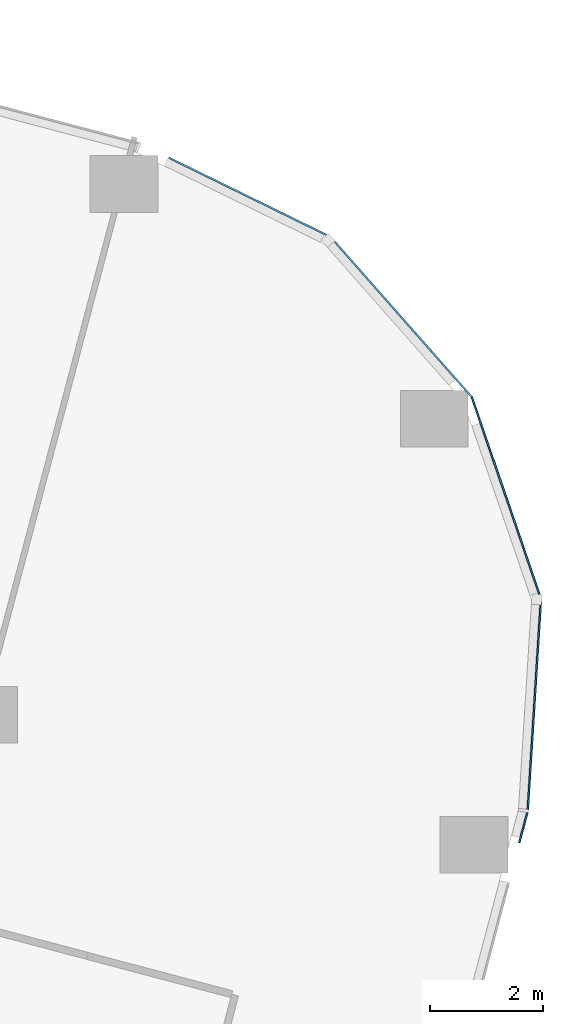
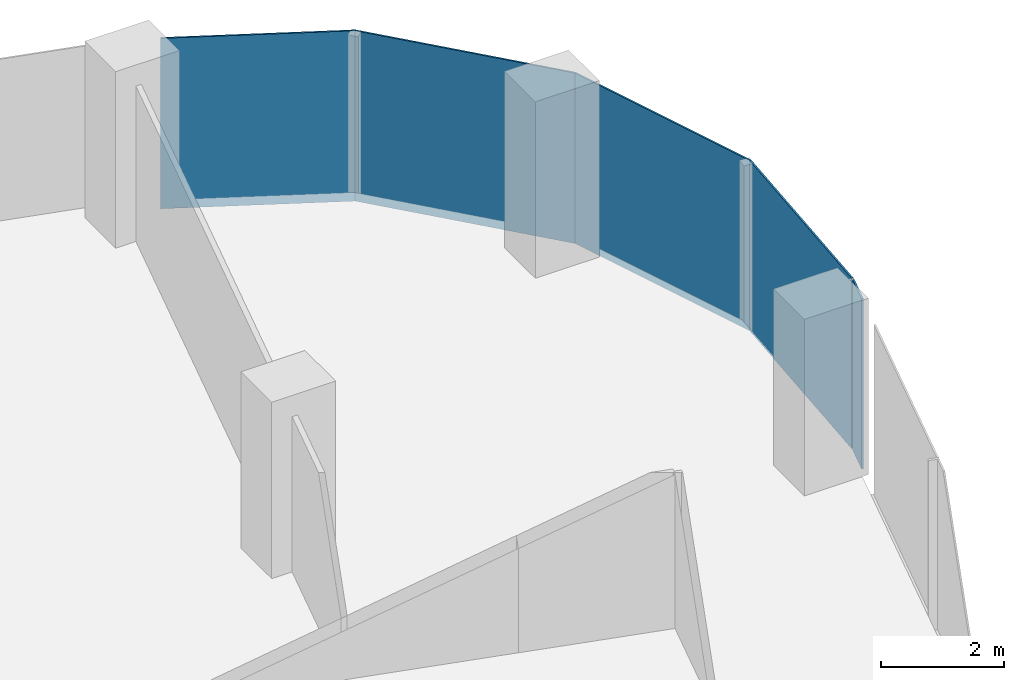
# One storey, part 23 of 34: 5 plates, 5 elements without a shape of their own.
"""IFC4 building model written with IfcOpenShell, lengths in metres."""

from ifc_helpers import new_model, si_unit, direction, frame, origin, origin_2d, place, context, subcontext, project, spatial, rectangle, extrude, material, layer, layer_set, type_object, element, aggregate, save


model = new_model("IFC4")

# Units and contexts
model_context = context("Model", 3, precision=1e-05, world=origin(), true_north=direction((0.0, 1.0)))
body_context = subcontext(model_context, "Body", "Model", "MODEL_VIEW")
ifc_project = project(units=[si_unit("LENGTHUNIT", "METRE"), si_unit("AREAUNIT", "SQUARE_METRE"), si_unit("VOLUMEUNIT", "CUBIC_METRE"), si_unit("PLANEANGLEUNIT", "RADIAN"), si_unit("MASSUNIT", "GRAM", prefix="KILO")], contexts=[model_context])

# Site, building, storey
site_placement = place(None, origin())
site = spatial("IfcSite", under=ifc_project, at=site_placement, CompositionType="ELEMENT")
building_placement = place(site_placement, origin())
building = spatial("IfcBuilding", under=site, at=building_placement, Name="Orlundy Tower", CompositionType="ELEMENT")
storey_placement = place(building_placement, frame((0.0, 0.0, 112.699951171875)))
storey = spatial("IfcBuildingStorey", under=building, at=storey_placement, Name="L28", CompositionType="ELEMENT", Elevation=112.699951171875)

# Curtain wall, plate
ifc_material_1 = material(Name="Aluminium bronze anodised", Category="aluminium")
curtain_wall_type = type_object("IfcCurtainWallType", Name="CW1 wall", PredefinedType="NOTDEFINED", material=ifc_material_1)
curtain_wall_1_placement = place(storey_placement, origin())
curtain_wall_1 = element("IfcCurtainWall", 1, at=curtain_wall_1_placement, inside=storey, type_object=curtain_wall_type, Name="CW1 run 019", PredefinedType="NOTDEFINED")
ifc_material_2 = material(Name="Tinted glass", Category="glass")
ifc_layer = layer(ifc_material_2, 0.031982421875)
ifc_layer_set = layer_set([ifc_layer], Name="CW1 glass panel 32")
plate_type = type_object("IfcPlateType", Name="CW1 glass panel 32", PredefinedType="CURTAIN_PANEL", material=ifc_layer_set)
plate_1_placement = place(storey_placement, frame((56.42724609375, 5.477294921875, -0.27978515625), z_axis=(0.0, 0.0, 1.0), x_axis=(0.898119249702, -0.439751990689, 0.0)))
plate_1 = element("IfcPlate", 2, at=plate_1_placement, type_object=plate_type, Name="CW1 panel", PredefinedType="CURTAIN_PANEL", context=body_context, shape_type="SweptSolid", body=[
    extrude(rectangle(XDim=3.171630859375, YDim=0.031982421875, at=origin_2d()), origin(), (0.0, 0.0, 1.0), 3.3798828125),
])
aggregate(curtain_wall_1, [plate_1])

curtain_wall_2_placement = place(storey_placement, origin())
curtain_wall_2 = element("IfcCurtainWall", 3, at=curtain_wall_2_placement, inside=storey, type_object=curtain_wall_type, Name="CW1 run 020", PredefinedType="NOTDEFINED")
plate_2_placement = place(storey_placement, frame((59.098876953125, 3.365966796875, -0.27978515625), z_axis=(0.0, 0.0, 1.0), x_axis=(0.661612712841, -0.749845729605, 0.0)))
plate_2 = element("IfcPlate", 4, at=plate_2_placement, type_object=plate_type, Name="CW1 panel", PredefinedType="CURTAIN_PANEL", context=body_context, shape_type="SweptSolid", body=[
    extrude(rectangle(XDim=3.771240234375, YDim=0.031982421875, at=origin_2d()), origin(), (0.0, 0.0, 1.0), 3.3798828125),
])
aggregate(curtain_wall_2, [plate_2])

curtain_wall_3_placement = place(storey_placement, origin())
curtain_wall_3 = element("IfcCurtainWall", 5, at=curtain_wall_3_placement, inside=storey, type_object=curtain_wall_type, Name="CW1 run 021", PredefinedType="NOTDEFINED")
plate_3_placement = place(storey_placement, frame((60.958251953125, 0.167724609375, -0.27978515625), z_axis=(0.0, 0.0, 1.0), x_axis=(0.32422777573, -0.945979042815, 0.0)))
plate_3 = element("IfcPlate", 6, at=plate_3_placement, type_object=plate_type, Name="CW1 panel", PredefinedType="CURTAIN_PANEL", context=body_context, shape_type="SweptSolid", body=[
    extrude(rectangle(XDim=3.7724609375, YDim=0.031982421875, at=origin_2d()), origin(), (0.0, 0.0, 1.0), 3.3798828125),
])
aggregate(curtain_wall_3, [plate_3])

curtain_wall_4_placement = place(storey_placement, origin())
curtain_wall_4 = element("IfcCurtainWall", 7, at=curtain_wall_4_placement, inside=storey, type_object=curtain_wall_type, Name="CW1 run 022", PredefinedType="NOTDEFINED")
plate_4_placement = place(storey_placement, frame((61.452880859375, -3.47802734375, -0.27978515625), z_axis=(0.0, 0.0, 1.0), x_axis=(-0.062596654845, -0.998038906457, 0.0)))
plate_4 = element("IfcPlate", 8, at=plate_4_placement, type_object=plate_type, Name="CW1 panel", PredefinedType="CURTAIN_PANEL", context=body_context, shape_type="SweptSolid", body=[
    extrude(rectangle(XDim=3.72998046875, YDim=0.031982421875, at=origin_2d()), origin(), (0.0, 0.0, 1.0), 3.3798828125),
])
aggregate(curtain_wall_4, [plate_4])

curtain_wall_5_placement = place(storey_placement, origin())
curtain_wall_5 = element("IfcCurtainWall", 9, at=curtain_wall_5_placement, inside=storey, type_object=curtain_wall_type, Name="CW1 run 023", PredefinedType="NOTDEFINED")
plate_5_placement = place(storey_placement, frame((61.257568359375, -5.6552734375, -0.27978515625), z_axis=(0.0, 0.0, 1.0), x_axis=(-0.255990719194, -0.966679239296, 0.0)))
plate_5 = element("IfcPlate", 10, at=plate_5_placement, type_object=plate_type, Name="CW1 panel", PredefinedType="CURTAIN_PANEL", context=body_context, shape_type="SweptSolid", body=[
    extrude(rectangle(XDim=0.5517578125, YDim=0.031982421875, at=origin_2d()), origin(), (0.0, 0.0, 1.0), 3.3798828125),
])
aggregate(curtain_wall_5, [plate_5])

save(model, "model.ifc")
